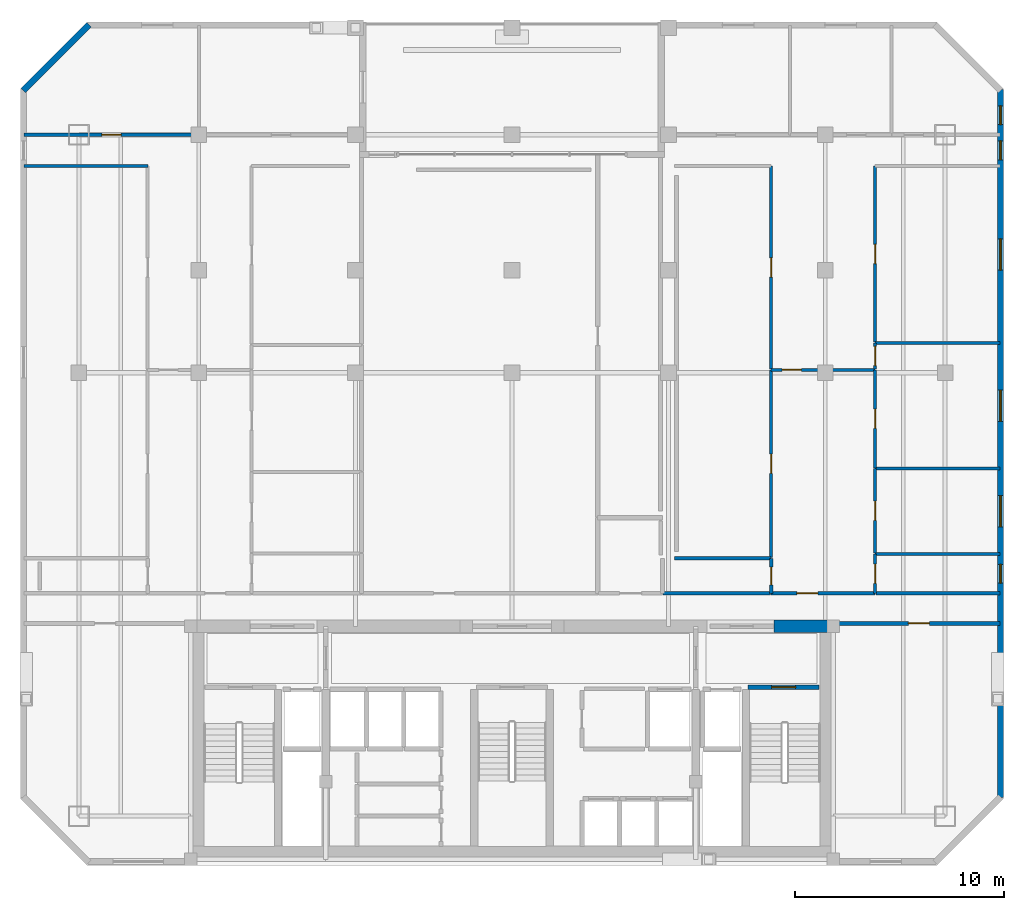
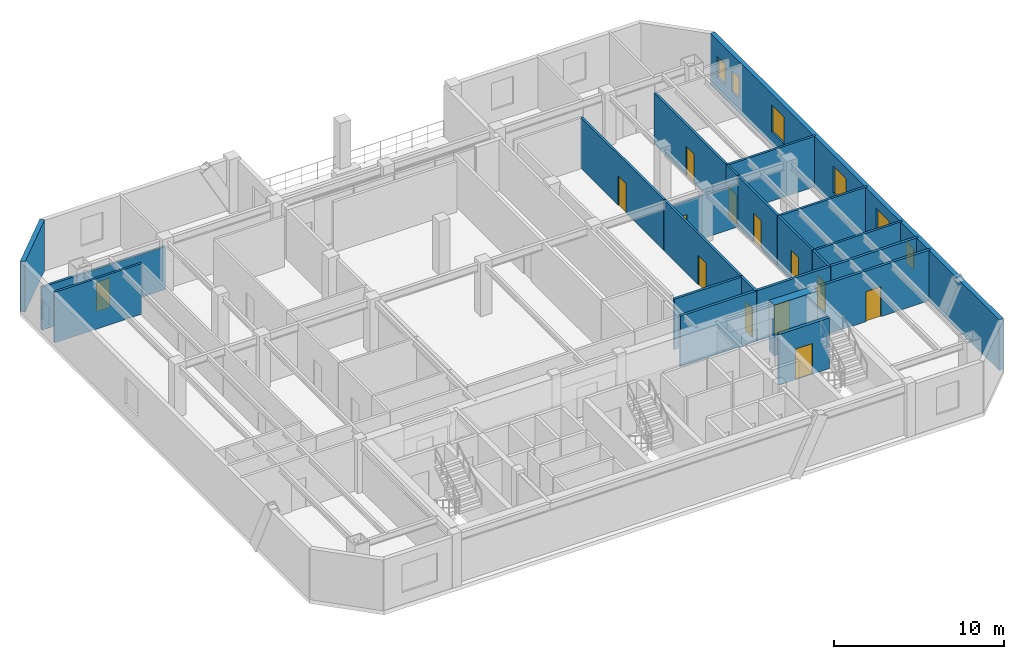
# One storey, part 7 of 9: 23 walls, 13 doors, 6 windows, 19 openings.
"""IFC4 building model written with IfcOpenShell, lengths in metres."""

from ifc_helpers import new_model, si_unit, direction, frame, frame_2d, origin, place, context, subcontext, project, spatial, rectangle, extrude, material, layer, layer_set, type_object, element, fill, save


model = new_model("IFC4")

# Units and contexts
model_context = context("Model", 3, precision=1e-05, world=origin(), true_north=direction((0.0, 1.0)))
body_context = subcontext(model_context, "Body", "Model", "MODEL_VIEW")
ifc_project = project(units=[si_unit("LENGTHUNIT", "METRE"), si_unit("AREAUNIT", "SQUARE_METRE"), si_unit("VOLUMEUNIT", "CUBIC_METRE"), si_unit("PLANEANGLEUNIT", "RADIAN"), si_unit("MASSUNIT", "GRAM", prefix="KILO")], contexts=[model_context])

# Site, building, storey
site_placement = place(None, origin())
site = spatial("IfcSite", under=ifc_project, at=site_placement, CompositionType="ELEMENT")
building_placement = place(site_placement, origin())
building = spatial("IfcBuilding", under=site, at=building_placement, Name="Ventersveld Concourse Tower", CompositionType="ELEMENT")
storey_placement = place(building_placement, frame((0.0, 0.0, 204.14990234375)))
storey = spatial("IfcBuildingStorey", under=building, at=storey_placement, Name="L50", CompositionType="ELEMENT", Elevation=204.14990234375)

# Wall
ifc_material_1 = material(Name="Concrete C50/60", Category="concrete")
ifc_layer_1 = layer(ifc_material_1, 0.60009765625)
ifc_layer_set_1 = layer_set([ifc_layer_1], Name="Concrete C50/60")
wall_type_1 = type_object("IfcWallType", Name="WL-CORE-600", PredefinedType="SHEAR", material=ifc_layer_set_1)
wall_1_placement = place(storey_placement, frame((41.300048828125, 11.449951171875, 0.0), z_axis=(0.0, 0.0, 1.0), x_axis=(1.0, 0.0, 0.0)))
element("IfcWall", 1, at=wall_1_placement, inside=storey, type_object=wall_type_1, Name="L50 Rear Core North Shear Wall NE", PredefinedType="SHEAR", context=body_context, shape_type="SweptSolid", body=[
    extrude(rectangle(XDim=2.949951171875, YDim=0.60009765625, at=frame_2d((1.47509765625, 0.0))), origin(), (0.0, 0.0, 1.0), 3.630126953125),
])

# Wall, opening, door
ifc_material_2 = material(Name="Fire-rated autoclaved aerated masonry blockwork", Category="masonry")
ifc_layer_2 = layer(ifc_material_2, 0.179931640625)
ifc_layer_set_2 = layer_set([ifc_layer_2], Name="Fire-rated autoclaved aerated masonry blockwork")
wall_type_2 = type_object("IfcWallType", Name="WL-CORR-180", PredefinedType="PARTITIONING", material=ifc_layer_set_2)
wall_2_placement = place(storey_placement, frame((44.35498046875, 11.5849609375, 0.0), z_axis=(0.0, 0.0, 1.0), x_axis=(1.0, 0.0, 0.0)))
wall_2 = element("IfcWall", 2, at=wall_2_placement, inside=storey, type_object=wall_type_2, Name="L50 Interior Partition SP-L50-SE-OFF-SP-L50-COR", PredefinedType="PARTITIONING", context=body_context, shape_type="SweptSolid", body=[
    extrude(rectangle(XDim=7.7724609375, YDim=0.179931640625, at=frame_2d((3.88623046875, 0.0))), origin(), (0.0, 0.0, 1.0), 3.630126953125),
])
opening_1_placement = place(wall_2_placement, frame((3.38623046875, 0.0, 0.0)))
opening_1 = element("IfcOpeningElement", 3, at=opening_1_placement, cuts=wall_2, Name="Opening FD3", PredefinedType="OPENING", context=body_context, shape_type="SweptSolid", body=[
    extrude(rectangle(XDim=1.0, YDim=2.14990234375, at=frame_2d((0.5, 1.074951171875))), frame((0.0, 0.10009765625, 0.0), z_axis=(0.0, -1.0, 0.0), x_axis=(1.0, 0.0, 0.0)), (0.0, 0.0, 1.0), 0.199951171875),
])
ifc_material_3 = material(Name="Solid-core hardwood veneer timber", Category="wood")
door_type_1 = type_object("IfcDoorType", Name="DR-FLAT-100", OperationType="NOTDEFINED", PredefinedType="DOOR", material=ifc_material_3)
door_1_placement = place(opening_1_placement, origin())
door_1 = element("IfcDoor", 4, at=door_1_placement, inside=storey, type_object=door_type_1, Name="L50 Interior Door SP-L50-SE-OFF to SP-L50-COR (D-L50-2439)", OperationType="SINGLE_SWING_LEFT", OverallHeight=2.14990234375, OverallWidth=1.0, PredefinedType="DOOR", context=body_context, shape_type="SweptSolid", body=[
    extrude(rectangle(XDim=1.0, YDim=2.14990234375, at=frame_2d((0.5, 1.074951171875))), frame((0.0, 0.02490234375, 0.0), z_axis=(0.0, -1.0, 0.0), x_axis=(1.0, 0.0, 0.0)), (0.0, 0.0, 1.0), 0.050048828125),
])
fill(opening_1, door_1)

wall_3_placement = place(storey_placement, frame((41.15625, 13.030029296875, 0.0), z_axis=(0.0, 0.0, 1.0), x_axis=(1.0, 0.0, 0.0)))
wall_3 = element("IfcWall", 5, at=wall_3_placement, inside=storey, type_object=wall_type_2, Name="L50 Interior Partition SP-L50-COR-SP-L50-50CE-FOY", PredefinedType="PARTITIONING", context=body_context, shape_type="SweptSolid", body=[
    extrude(rectangle(XDim=4.989990234375, YDim=0.179931640625, at=frame_2d((2.4951171875, 0.0))), origin(), (0.0, 0.0, 1.0), 3.630126953125),
])
opening_2_placement = place(wall_3_placement, frame((1.24658203125, 0.0, 0.0)))
opening_2 = element("IfcOpeningElement", 6, at=opening_2_placement, cuts=wall_3, Name="Opening FD3", PredefinedType="OPENING", context=body_context, shape_type="SweptSolid", body=[
    extrude(rectangle(XDim=1.0, YDim=2.14990234375, at=frame_2d((0.5, 1.074951171875))), frame((0.0, 0.10009765625, 0.0), z_axis=(0.0, -1.0, 0.0), x_axis=(1.0, 0.0, 0.0)), (0.0, 0.0, 1.0), 0.199951171875),
])
door_2_placement = place(opening_2_placement, origin())
door_2 = element("IfcDoor", 7, at=door_2_placement, inside=storey, type_object=door_type_1, Name="L50 Interior Door SP-L50-COR to SP-L50-50CE-FOY (FD-L50-2443)", OperationType="SINGLE_SWING_LEFT", OverallHeight=2.14990234375, OverallWidth=1.0, PredefinedType="DOOR", context=body_context, shape_type="SweptSolid", body=[
    extrude(rectangle(XDim=1.0, YDim=2.14990234375, at=frame_2d((0.5, 1.074951171875))), frame((0.0, 0.02490234375, 0.0), z_axis=(0.0, -1.0, 0.0), x_axis=(1.0, 0.0, 0.0)), (0.0, 0.0, 1.0), 0.050048828125),
])
fill(opening_2, door_2)

# Walls
wall_4_placement = place(storey_placement, frame((35.9951171875, 13.030029296875, 0.0), z_axis=(0.0, 0.0, 1.0), x_axis=(1.0, 0.0, 0.0)))
element("IfcWall", 8, at=wall_4_placement, inside=storey, type_object=wall_type_2, Name="L50 Interior Partition SP-L50-COR-SP-L50-50CE-BATH", PredefinedType="PARTITIONING", context=body_context, shape_type="SweptSolid", body=[
    extrude(rectangle(XDim=5.131103515625, YDim=0.179931640625, at=frame_2d((2.5654296875, 0.0))), origin(), (0.0, 0.0, 1.0), 3.630126953125),
])
wall_5_placement = place(storey_placement, frame((46.17626953125, 13.030029296875, 0.0), z_axis=(0.0, 0.0, 1.0), x_axis=(1.0, 0.0, 0.0)))
element("IfcWall", 9, at=wall_5_placement, inside=storey, type_object=wall_type_2, Name="L50 Interior Partition SP-L50-COR-SP-L50-50CE-KIT", PredefinedType="PARTITIONING", context=body_context, shape_type="SweptSolid", body=[
    extrude(rectangle(XDim=5.951171875, YDim=0.179931640625, at=frame_2d((2.9755859375, 0.0))), origin(), (0.0, 0.0, 1.0), 3.630126953125),
])

# Wall, opening, door
ifc_layer_3 = layer(ifc_material_2, 0.219970703125)
ifc_layer_set_3 = layer_set([ifc_layer_3], Name="Fire-rated autoclaved aerated masonry blockwork")
wall_type_3 = type_object("IfcWallType", Name="WL-HOIST-220", PredefinedType="SOLIDWALL", material=ifc_layer_set_3)
wall_6_placement = place(storey_placement, frame((40.06005859375, 8.52001953125, 0.0), z_axis=(0.0, 0.0, 1.0), x_axis=(1.0, 0.0, 0.0)))
wall_6 = element("IfcWall", 10, at=wall_6_placement, inside=storey, type_object=wall_type_3, Name="L50 Escape Stair ST02 Fire Wall", PredefinedType="SOLIDWALL", context=body_context, shape_type="SweptSolid", body=[
    extrude(rectangle(XDim=3.39990234375, YDim=0.219970703125, at=frame_2d((1.699951171875, 0.0))), origin(), (0.0, 0.0, 1.0), 3.630126953125),
])
opening_3_placement = place(wall_6_placement, frame((1.125, 0.0, 0.0)))
opening_3 = element("IfcOpeningElement", 11, at=opening_3_placement, cuts=wall_6, Name="Opening FD1", PredefinedType="OPENING", context=body_context, shape_type="SweptSolid", body=[
    extrude(rectangle(XDim=1.14990234375, YDim=2.199951171875, at=frame_2d((0.574951171875, 1.10009765625))), frame((0.0, 0.1201171875, 0.0), z_axis=(0.0, -1.0, 0.0), x_axis=(1.0, 0.0, 0.0)), (0.0, 0.0, 1.0), 0.239990234375),
])
ifc_material_4 = material(Name="Galvanised painted steel", Category="steel")
door_type_2 = type_object("IfcDoorType", Name="DR-STAIR-115", OperationType="NOTDEFINED", PredefinedType="DOOR", material=ifc_material_4)
door_3_placement = place(opening_3_placement, origin())
door_3 = element("IfcDoor", 12, at=door_3_placement, inside=storey, type_object=door_type_2, Name="L50 Escape Stair Door ST02 (SD-L50-2427)", OperationType="SINGLE_SWING_RIGHT", OverallHeight=2.199951171875, OverallWidth=1.14990234375, PredefinedType="DOOR", context=body_context, shape_type="SweptSolid", body=[
    extrude(rectangle(XDim=1.14990234375, YDim=2.199951171875, at=frame_2d((0.574951171875, 1.10009765625))), frame((0.0, 0.02490234375, 0.0), z_axis=(0.0, -1.0, 0.0), x_axis=(1.0, 0.0, 0.0)), (0.0, 0.0, 1.0), 0.050048828125),
])
fill(opening_3, door_3)

# Wall
ifc_material_5 = material(Name="Autoclaved aerated masonry blockwork", Category="masonry")
ifc_layer_4 = layer(ifc_material_5, 0.14990234375)
ifc_layer_set_4 = layer_set([ifc_layer_4], Name="Autoclaved aerated masonry blockwork")
wall_type_4 = type_object("IfcWallType", Name="WL-INT-150", PredefinedType="PARTITIONING", material=ifc_layer_set_4)
wall_7_placement = place(storey_placement, frame((5.37255859375, 33.5, 0.0), z_axis=(0.0, 0.0, 1.0), x_axis=(1.0, 0.0, 0.0)))
element("IfcWall", 13, at=wall_7_placement, inside=storey, type_object=wall_type_4, Name="L50 Interior Partition SP-L50-50CW-LIV-SP-L50-50CW-OFFL0", PredefinedType="PARTITIONING", context=body_context, shape_type="SweptSolid", body=[
    extrude(rectangle(XDim=5.927490234375, YDim=0.14990234375, at=frame_2d((2.9638671875, 0.0))), origin(), (0.0, 0.0, 1.0), 3.630126953125),
])

# Wall, opening, door
wall_8_placement = place(storey_placement, frame((5.37255859375, 35.0, 0.0), z_axis=(0.0, 0.0, 1.0), x_axis=(1.0, 0.0, 0.0)))
wall_8 = element("IfcWall", 14, at=wall_8_placement, inside=storey, type_object=wall_type_4, Name="L50 Interior Partition SP-L50-50CW-LIV-SP-L50-50CW-BR1", PredefinedType="PARTITIONING", context=body_context, shape_type="SweptSolid", body=[
    extrude(rectangle(XDim=8.38232421875, YDim=0.14990234375, at=frame_2d((4.191162109375, 0.0))), origin(), (0.0, 0.0, 1.0), 3.085693359375),
])
opening_4_placement = place(wall_8_placement, frame((3.731201171875, 0.0, 0.0)))
opening_4 = element("IfcOpeningElement", 15, at=opening_4_placement, cuts=wall_8, Name="Opening ID1", PredefinedType="OPENING", context=body_context, shape_type="SweptSolid", body=[
    extrude(rectangle(XDim=0.919921875, YDim=2.10009765625, at=frame_2d((0.4599609375, 1.050048828125))), frame((0.0, 0.0849609375, 0.0), z_axis=(0.0, -1.0, 0.0), x_axis=(1.0, 0.0, 0.0)), (0.0, 0.0, 1.0), 0.169921875),
])
door_type_3 = type_object("IfcDoorType", Name="DR-ROOM-092", OperationType="NOTDEFINED", PredefinedType="DOOR", material=ifc_material_3)
door_4_placement = place(opening_4_placement, origin())
door_4 = element("IfcDoor", 16, at=door_4_placement, inside=storey, type_object=door_type_3, Name="L50 Interior Door SP-L50-50CW-LIV to SP-L50-50CW-BR1 (D-L50-2453)", OperationType="SINGLE_SWING_LEFT", OverallHeight=2.10009765625, OverallWidth=0.919921875, PredefinedType="DOOR", context=body_context, shape_type="SweptSolid", body=[
    extrude(rectangle(XDim=0.919921875, YDim=2.10009765625, at=frame_2d((0.4599609375, 1.050048828125))), frame((0.0, 0.02490234375, 0.0), z_axis=(0.0, -1.0, 0.0), x_axis=(1.0, 0.0, 0.0)), (0.0, 0.0, 1.0), 0.050048828125),
])
fill(opening_4, door_4)

wall_9_placement = place(storey_placement, frame((41.15625, 23.72900390625, 0.0), z_axis=(0.0, 0.0, 1.0), x_axis=(1.0, 0.0, 0.0)))
wall_9 = element("IfcWall", 17, at=wall_9_placement, inside=storey, type_object=wall_type_4, Name="L50 Interior Partition SP-L50-50CE-FOY-SP-L50-50CE-LIV", PredefinedType="PARTITIONING", context=body_context, shape_type="SweptSolid", body=[
    extrude(rectangle(XDim=4.989990234375, YDim=0.14990234375, at=frame_2d((2.4951171875, 0.0))), origin(), (0.0, 0.0, 1.0), 3.085693359375),
])
opening_5_placement = place(wall_9_placement, frame((0.5380859375, 0.0, 0.0)))
opening_5 = element("IfcOpeningElement", 18, at=opening_5_placement, cuts=wall_9, Name="Opening ID1", PredefinedType="OPENING", context=body_context, shape_type="SweptSolid", body=[
    extrude(rectangle(XDim=0.919921875, YDim=2.10009765625, at=frame_2d((0.4599609375, 1.050048828125))), frame((0.0, 0.0849609375, 0.0), z_axis=(0.0, -1.0, 0.0), x_axis=(1.0, 0.0, 0.0)), (0.0, 0.0, 1.0), 0.169921875),
])
door_5_placement = place(opening_5_placement, origin())
door_5 = element("IfcDoor", 19, at=door_5_placement, inside=storey, type_object=door_type_3, Name="L50 Interior Door SP-L50-50CE-FOY to SP-L50-50CE-LIV (D-L50-2455)", OperationType="SINGLE_SWING_LEFT", OverallHeight=2.10009765625, OverallWidth=0.919921875, PredefinedType="DOOR", context=body_context, shape_type="SweptSolid", body=[
    extrude(rectangle(XDim=0.919921875, YDim=2.10009765625, at=frame_2d((0.4599609375, 1.050048828125))), frame((0.0, 0.02490234375, 0.0), z_axis=(0.0, -1.0, 0.0), x_axis=(1.0, 0.0, 0.0)), (0.0, 0.0, 1.0), 0.050048828125),
])
fill(opening_5, door_5)

wall_10_placement = place(storey_placement, frame((41.1611328125, 14.735107421875, 0.0), z_axis=(0.0, 0.0, 1.0), x_axis=(0.0, 1.0, 0.0)))
wall_10 = element("IfcWall", 20, at=wall_10_placement, inside=storey, type_object=wall_type_4, Name="L50 Interior Partition SP-L50-50CE-FOY-SP-L50-50CE-OFFL0", PredefinedType="PARTITIONING", context=body_context, shape_type="SweptSolid", body=[
    extrude(rectangle(XDim=8.9990234375, YDim=0.14990234375, at=frame_2d((4.49951171875, 0.0))), origin(), (0.0, 0.0, 1.0), 3.630126953125),
])
opening_6_placement = place(wall_10_placement, frame((4.03955078125, 0.0, 0.0)))
opening_6 = element("IfcOpeningElement", 21, at=opening_6_placement, cuts=wall_10, Name="Opening ID1", PredefinedType="OPENING", context=body_context, shape_type="SweptSolid", body=[
    extrude(rectangle(XDim=0.919921875, YDim=2.10009765625, at=frame_2d((0.4599609375, 1.050048828125))), frame((0.0, 0.0849609375, 0.0), z_axis=(0.0, -1.0, 0.0), x_axis=(1.0, 0.0, 0.0)), (0.0, 0.0, 1.0), 0.169921875),
])
door_6_placement = place(opening_6_placement, origin())
door_6 = element("IfcDoor", 22, at=door_6_placement, inside=storey, type_object=door_type_3, Name="L50 Interior Door SP-L50-50CE-FOY to SP-L50-50CE-OFFL0 (D-L50-2457)", OperationType="SINGLE_SWING_LEFT", OverallHeight=2.10009765625, OverallWidth=0.919921875, PredefinedType="DOOR", context=body_context, shape_type="SweptSolid", body=[
    extrude(rectangle(XDim=0.919921875, YDim=2.10009765625, at=frame_2d((0.4599609375, 1.050048828125))), frame((0.0, 0.02490234375, 0.0), z_axis=(0.0, -1.0, 0.0), x_axis=(1.0, 0.0, 0.0)), (0.0, 0.0, 1.0), 0.050048828125),
])
fill(opening_6, door_6)

wall_11_placement = place(storey_placement, frame((46.14111328125, 13.014892578125, 0.0), z_axis=(0.0, 0.0, 1.0), x_axis=(0.0, 1.0, 0.0)))
wall_11 = element("IfcWall", 23, at=wall_11_placement, inside=storey, type_object=wall_type_4, Name="L50 Interior Partition SP-L50-50CE-FOY-SP-L50-50CE-KIT", PredefinedType="PARTITIONING", context=body_context, shape_type="SweptSolid", body=[
    extrude(rectangle(XDim=1.904541015625, YDim=0.14990234375, at=frame_2d((0.9521484375, 0.0))), origin(), (0.0, 0.0, 1.0), 3.630126953125),
])
opening_7_placement = place(wall_11_placement, frame((0.4921875, 0.0, 0.0)))
opening_7 = element("IfcOpeningElement", 24, at=opening_7_placement, cuts=wall_11, Name="Opening ID1", PredefinedType="OPENING", context=body_context, shape_type="SweptSolid", body=[
    extrude(rectangle(XDim=0.919921875, YDim=2.10009765625, at=frame_2d((0.4599609375, 1.050048828125))), frame((0.0, 0.0849609375, 0.0), z_axis=(0.0, -1.0, 0.0), x_axis=(1.0, 0.0, 0.0)), (0.0, 0.0, 1.0), 0.169921875),
])
door_7_placement = place(opening_7_placement, origin())
door_7 = element("IfcDoor", 25, at=door_7_placement, inside=storey, type_object=door_type_3, Name="L50 Interior Door SP-L50-50CE-FOY to SP-L50-50CE-KIT (D-L50-2458)", OperationType="SINGLE_SWING_RIGHT", OverallHeight=2.10009765625, OverallWidth=0.919921875, PredefinedType="DOOR", context=body_context, shape_type="SweptSolid", body=[
    extrude(rectangle(XDim=0.919921875, YDim=2.10009765625, at=frame_2d((0.4599609375, 1.050048828125))), frame((0.0, 0.02490234375, 0.0), z_axis=(0.0, -1.0, 0.0), x_axis=(1.0, 0.0, 0.0)), (0.0, 0.0, 1.0), 0.050048828125),
])
fill(opening_7, door_7)

wall_12_placement = place(storey_placement, frame((46.14111328125, 14.949462890625, 0.0), z_axis=(0.0, 0.0, 1.0), x_axis=(0.0, 1.0, 0.0)))
wall_12 = element("IfcWall", 26, at=wall_12_placement, inside=storey, type_object=wall_type_4, Name="L50 Interior Partition SP-L50-50CE-FOY-SP-L50-50CE-SEMR1", PredefinedType="PARTITIONING", context=body_context, shape_type="SweptSolid", body=[
    extrude(rectangle(XDim=4.0634765625, YDim=0.14990234375, at=frame_2d((2.03173828125, 0.0))), origin(), (0.0, 0.0, 1.0), 3.630126953125),
])
opening_8_placement = place(wall_12_placement, frame((1.57177734375, 0.0, 0.0)))
opening_8 = element("IfcOpeningElement", 27, at=opening_8_placement, cuts=wall_12, Name="Opening ID1", PredefinedType="OPENING", context=body_context, shape_type="SweptSolid", body=[
    extrude(rectangle(XDim=0.919921875, YDim=2.10009765625, at=frame_2d((0.4599609375, 1.050048828125))), frame((0.0, 0.0849609375, 0.0), z_axis=(0.0, -1.0, 0.0), x_axis=(1.0, 0.0, 0.0)), (0.0, 0.0, 1.0), 0.169921875),
])
door_8_placement = place(opening_8_placement, origin())
door_8 = element("IfcDoor", 28, at=door_8_placement, inside=storey, type_object=door_type_3, Name="L50 Interior Door SP-L50-50CE-FOY to SP-L50-50CE-SEMR1 (D-L50-2459)", OperationType="SINGLE_SWING_LEFT", OverallHeight=2.10009765625, OverallWidth=0.919921875, PredefinedType="DOOR", context=body_context, shape_type="SweptSolid", body=[
    extrude(rectangle(XDim=0.919921875, YDim=2.10009765625, at=frame_2d((0.4599609375, 1.050048828125))), frame((0.0, 0.02490234375, 0.0), z_axis=(0.0, -1.0, 0.0), x_axis=(1.0, 0.0, 0.0)), (0.0, 0.0, 1.0), 0.050048828125),
])
fill(opening_8, door_8)

wall_13_placement = place(storey_placement, frame((46.14111328125, 19.04296875, 0.0), z_axis=(0.0, 0.0, 1.0), x_axis=(0.0, 1.0, 0.0)))
wall_13 = element("IfcWall", 29, at=wall_13_placement, inside=storey, type_object=wall_type_4, Name="L50 Interior Partition SP-L50-50CE-FOY-SP-L50-50CE-DENS", PredefinedType="PARTITIONING", context=body_context, shape_type="SweptSolid", body=[
    extrude(rectangle(XDim=4.691162109375, YDim=0.14990234375, at=frame_2d((2.345703125, 0.0))), origin(), (0.0, 0.0, 1.0), 3.630126953125),
])
opening_9_placement = place(wall_13_placement, frame((1.885498046875, 0.0, 0.0)))
opening_9 = element("IfcOpeningElement", 30, at=opening_9_placement, cuts=wall_13, Name="Opening ID1", PredefinedType="OPENING", context=body_context, shape_type="SweptSolid", body=[
    extrude(rectangle(XDim=0.919921875, YDim=2.10009765625, at=frame_2d((0.4599609375, 1.050048828125))), frame((0.0, 0.0849609375, 0.0), z_axis=(0.0, -1.0, 0.0), x_axis=(1.0, 0.0, 0.0)), (0.0, 0.0, 1.0), 0.169921875),
])
door_9_placement = place(opening_9_placement, origin())
door_9 = element("IfcDoor", 31, at=door_9_placement, inside=storey, type_object=door_type_3, Name="L50 Interior Door SP-L50-50CE-FOY to SP-L50-50CE-DENS (D-L50-2460)", OperationType="SINGLE_SWING_RIGHT", OverallHeight=2.10009765625, OverallWidth=0.919921875, PredefinedType="DOOR", context=body_context, shape_type="SweptSolid", body=[
    extrude(rectangle(XDim=0.919921875, YDim=2.10009765625, at=frame_2d((0.4599609375, 1.050048828125))), frame((0.0, 0.02490234375, 0.0), z_axis=(0.0, -1.0, 0.0), x_axis=(1.0, 0.0, 0.0)), (0.0, 0.0, 1.0), 0.050048828125),
])
fill(opening_9, door_9)

wall_14_placement = place(storey_placement, frame((41.1611328125, 23.76416015625, 0.0), z_axis=(0.0, 0.0, 1.0), x_axis=(0.0, 1.0, 0.0)))
wall_14 = element("IfcWall", 32, at=wall_14_placement, inside=storey, type_object=wall_type_4, Name="L50 Interior Partition SP-L50-50CE-LIV-SP-L50-50CE-OFFL0", PredefinedType="PARTITIONING", context=body_context, shape_type="SweptSolid", body=[
    extrude(rectangle(XDim=9.74072265625, YDim=0.14990234375, at=frame_2d((4.870361328125, 0.0))), origin(), (0.0, 0.0, 1.0), 3.630126953125),
])
opening_10_placement = place(wall_14_placement, frame((4.410400390625, 0.0, 0.0)))
opening_10 = element("IfcOpeningElement", 33, at=opening_10_placement, cuts=wall_14, Name="Opening ID1", PredefinedType="OPENING", context=body_context, shape_type="SweptSolid", body=[
    extrude(rectangle(XDim=0.919921875, YDim=2.10009765625, at=frame_2d((0.4599609375, 1.050048828125))), frame((0.0, 0.0849609375, 0.0), z_axis=(0.0, -1.0, 0.0), x_axis=(1.0, 0.0, 0.0)), (0.0, 0.0, 1.0), 0.169921875),
])
door_10_placement = place(opening_10_placement, origin())
door_10 = element("IfcDoor", 34, at=door_10_placement, inside=storey, type_object=door_type_3, Name="L50 Interior Door SP-L50-50CE-LIV to SP-L50-50CE-OFFL0 (D-L50-2461)", OperationType="SINGLE_SWING_LEFT", OverallHeight=2.10009765625, OverallWidth=0.919921875, PredefinedType="DOOR", context=body_context, shape_type="SweptSolid", body=[
    extrude(rectangle(XDim=0.919921875, YDim=2.10009765625, at=frame_2d((0.4599609375, 1.050048828125))), frame((0.0, 0.02490234375, 0.0), z_axis=(0.0, -1.0, 0.0), x_axis=(1.0, 0.0, 0.0)), (0.0, 0.0, 1.0), 0.050048828125),
])
fill(opening_10, door_10)

wall_15_placement = place(storey_placement, frame((46.14111328125, 23.76416015625, 0.0), z_axis=(0.0, 0.0, 1.0), x_axis=(0.0, 1.0, 0.0)))
wall_15 = element("IfcWall", 35, at=wall_15_placement, inside=storey, type_object=wall_type_4, Name="L50 Interior Partition SP-L50-50CE-LIV-SP-L50-50CE-DENS", PredefinedType="PARTITIONING", context=body_context, shape_type="SweptSolid", body=[
    extrude(rectangle(XDim=1.268310546875, YDim=0.14990234375, at=frame_2d((0.63427734375, 0.0))), origin(), (0.0, 0.0, 1.0), 3.630126953125),
])
opening_11_placement = place(wall_15_placement, frame((0.174072265625, 0.0, 0.0)))
opening_11 = element("IfcOpeningElement", 36, at=opening_11_placement, cuts=wall_15, Name="Opening ID1", PredefinedType="OPENING", context=body_context, shape_type="SweptSolid", body=[
    extrude(rectangle(XDim=0.919921875, YDim=2.10009765625, at=frame_2d((0.4599609375, 1.050048828125))), frame((0.0, 0.0849609375, 0.0), z_axis=(0.0, -1.0, 0.0), x_axis=(1.0, 0.0, 0.0)), (0.0, 0.0, 1.0), 0.169921875),
])
door_11_placement = place(opening_11_placement, origin())
door_11 = element("IfcDoor", 37, at=door_11_placement, inside=storey, type_object=door_type_3, Name="L50 Interior Door SP-L50-50CE-LIV to SP-L50-50CE-DENS (D-L50-2462)", OperationType="SINGLE_SWING_RIGHT", OverallHeight=2.10009765625, OverallWidth=0.919921875, PredefinedType="DOOR", context=body_context, shape_type="SweptSolid", body=[
    extrude(rectangle(XDim=0.919921875, YDim=2.10009765625, at=frame_2d((0.4599609375, 1.050048828125))), frame((0.0, 0.02490234375, 0.0), z_axis=(0.0, -1.0, 0.0), x_axis=(1.0, 0.0, 0.0)), (0.0, 0.0, 1.0), 0.050048828125),
])
fill(opening_11, door_11)

wall_16_placement = place(storey_placement, frame((46.14111328125, 25.0625, 0.0), z_axis=(0.0, 0.0, 1.0), x_axis=(0.0, 1.0, 0.0)))
wall_16 = element("IfcWall", 38, at=wall_16_placement, inside=storey, type_object=wall_type_4, Name="L50 Interior Partition SP-L50-50CE-LIV-SP-L50-50CE-DENS2", PredefinedType="PARTITIONING", context=body_context, shape_type="SweptSolid", body=[
    extrude(rectangle(XDim=8.4423828125, YDim=0.14990234375, at=frame_2d((4.22119140625, 0.0))), origin(), (0.0, 0.0, 1.0), 3.630126953125),
])
opening_12_placement = place(wall_16_placement, frame((3.76123046875, 0.0, 0.0)))
opening_12 = element("IfcOpeningElement", 39, at=opening_12_placement, cuts=wall_16, Name="Opening ID1", PredefinedType="OPENING", context=body_context, shape_type="SweptSolid", body=[
    extrude(rectangle(XDim=0.919921875, YDim=2.10009765625, at=frame_2d((0.4599609375, 1.050048828125))), frame((0.0, 0.0849609375, 0.0), z_axis=(0.0, -1.0, 0.0), x_axis=(1.0, 0.0, 0.0)), (0.0, 0.0, 1.0), 0.169921875),
])
door_12_placement = place(opening_12_placement, origin())
door_12 = element("IfcDoor", 40, at=door_12_placement, inside=storey, type_object=door_type_3, Name="L50 Interior Door SP-L50-50CE-LIV to SP-L50-50CE-DENS2 (D-L50-2463)", OperationType="SINGLE_SWING_LEFT", OverallHeight=2.10009765625, OverallWidth=0.919921875, PredefinedType="DOOR", context=body_context, shape_type="SweptSolid", body=[
    extrude(rectangle(XDim=0.919921875, YDim=2.10009765625, at=frame_2d((0.4599609375, 1.050048828125))), frame((0.0, 0.02490234375, 0.0), z_axis=(0.0, -1.0, 0.0), x_axis=(1.0, 0.0, 0.0)), (0.0, 0.0, 1.0), 0.050048828125),
])
fill(opening_12, door_12)

# Walls
for number, where, z_axis, x_axis, name in (
    (41, (46.13623046875, 14.91455078125, 0.0), (0.0, 0.0, 1.0), (1.0, 0.0, 0.0), "L50 Interior Partition SP-L50-50CE-KIT-SP-L50-50CE-SEMR1"),
    (42, (46.13623046875, 19.008056640625, 0.0), (0.0, 0.0, 1.0), (1.0, 0.0, 0.0), "L50 Interior Partition SP-L50-50CE-SEMR1-SP-L50-50CE-DENS"),
    (43, (46.13623046875, 25.02734375, 0.0), (0.0, 0.0, 1.0), (1.0, 0.0, 0.0), "L50 Interior Partition SP-L50-50CE-DENS-SP-L50-50CE-DENS2"),
):
    element("IfcWall", number, at=place(storey_placement, frame(where, z_axis=z_axis, x_axis=x_axis)), inside=storey, type_object=wall_type_4, Name=name, PredefinedType="PARTITIONING", context=body_context, shape_type="SweptSolid", body=[
        extrude(rectangle(XDim=5.9912109375, YDim=0.14990234375, at=frame_2d((2.99560546875, 0.0))), origin(), (0.0, 0.0, 1.0), 3.630126953125),
    ])

# Wall, openings, windows
ifc_material_6 = material(Name="Precast concrete C45/55", Category="concrete")
ifc_layer_5 = layer(ifc_material_6, 0.300048828125)
ifc_layer_set_5 = layer_set([ifc_layer_5], Name="Precast concrete C45/55")
wall_type_5 = type_object("IfcWallType", Name="WL-PREC-300", PredefinedType="SOLIDWALL", material=ifc_layer_set_5)
wall_17_placement = place(storey_placement, frame((52.14990234375, 3.239990234375, 0.0), z_axis=(0.0, 0.0, 1.0), x_axis=(0.0, 1.0, 0.0)))
wall_17 = element("IfcWall", 44, at=wall_17_placement, inside=storey, type_object=wall_type_5, Name="L50 Highveld Precast Facade Wall E03", PredefinedType="SOLIDWALL", context=body_context, shape_type="SweptSolid", body=[
    extrude(rectangle(XDim=33.919921875, YDim=0.300048828125, at=frame_2d((16.9599609375, 0.0))), origin(), (0.0, 0.0, 1.0), 3.630126953125),
])
opening_13_placement = place(wall_17_placement, frame((30.56005859375, 0.0, 0.949951171875)))
opening_13 = element("IfcOpeningElement", 45, at=opening_13_placement, cuts=wall_17, Name="Opening W4", PredefinedType="OPENING", context=body_context, shape_type="SweptSolid", body=[
    extrude(rectangle(XDim=0.89990234375, YDim=1.5, at=frame_2d((0.449951171875, 0.75))), frame((0.0, 0.16015625, 0.0), z_axis=(0.0, -1.0, 0.0), x_axis=(1.0, 0.0, 0.0)), (0.0, 0.0, 1.0), 0.320068359375),
])
opening_14_placement = place(wall_17_placement, frame((10.27734375, 0.0, 0.949951171875)))
opening_14 = element("IfcOpeningElement", 46, at=opening_14_placement, cuts=wall_17, Name="Opening W4", PredefinedType="OPENING", context=body_context, shape_type="SweptSolid", body=[
    extrude(rectangle(XDim=0.89990234375, YDim=1.5, at=frame_2d((0.449951171875, 0.75))), frame((0.0, 0.16015625, 0.0), z_axis=(0.0, -1.0, 0.0), x_axis=(1.0, 0.0, 0.0)), (0.0, 0.0, 1.0), 0.320068359375),
])
opening_15_placement = place(wall_17_placement, frame((12.97119140625, 0.0, 0.89990234375)))
opening_15 = element("IfcOpeningElement", 47, at=opening_15_placement, cuts=wall_17, Name="Opening W1", PredefinedType="OPENING", context=body_context, shape_type="SweptSolid", body=[
    extrude(rectangle(XDim=1.5, YDim=1.949951171875, at=frame_2d((0.75, 0.97509765625))), frame((0.0, 0.16015625, 0.0), z_axis=(0.0, -1.0, 0.0), x_axis=(1.0, 0.0, 0.0)), (0.0, 0.0, 1.0), 0.320068359375),
])
opening_16_placement = place(wall_17_placement, frame((18.027587890625, 0.0, 0.89990234375)))
opening_16 = element("IfcOpeningElement", 48, at=opening_16_placement, cuts=wall_17, Name="Opening W1", PredefinedType="OPENING", context=body_context, shape_type="SweptSolid", body=[
    extrude(rectangle(XDim=1.5, YDim=1.949951171875, at=frame_2d((0.75, 0.97509765625))), frame((0.0, 0.16015625, 0.0), z_axis=(0.0, -1.0, 0.0), x_axis=(1.0, 0.0, 0.0)), (0.0, 0.0, 1.0), 0.320068359375),
])
opening_17_placement = place(wall_17_placement, frame((25.273681640625, 0.0, 0.89990234375)))
opening_17 = element("IfcOpeningElement", 49, at=opening_17_placement, cuts=wall_17, Name="Opening W1", PredefinedType="OPENING", context=body_context, shape_type="SweptSolid", body=[
    extrude(rectangle(XDim=1.5, YDim=1.949951171875, at=frame_2d((0.75, 0.97509765625))), frame((0.0, 0.16015625, 0.0), z_axis=(0.0, -1.0, 0.0), x_axis=(1.0, 0.0, 0.0)), (0.0, 0.0, 1.0), 0.320068359375),
])
opening_18_placement = place(wall_17_placement, frame((32.239990234375, 0.0, 0.949951171875)))
opening_18 = element("IfcOpeningElement", 50, at=opening_18_placement, cuts=wall_17, Name="Opening W4", PredefinedType="OPENING", context=body_context, shape_type="SweptSolid", body=[
    extrude(rectangle(XDim=0.89990234375, YDim=1.5, at=frame_2d((0.449951171875, 0.75))), frame((0.0, 0.16015625, 0.0), z_axis=(0.0, -1.0, 0.0), x_axis=(1.0, 0.0, 0.0)), (0.0, 0.0, 1.0), 0.320068359375),
])
ifc_material_7 = material(Name="Tempered acoustic Low-E IGU", Category="glass")
window_type_1 = type_object("IfcWindowType", Name="WIN-090x150", PartitioningType="SINGLE_PANEL", PredefinedType="WINDOW", material=ifc_material_7)
window_1_placement = place(opening_13_placement, origin())
window_1 = element("IfcWindow", 51, at=window_1_placement, inside=storey, type_object=window_type_1, Name="L50 Punched Low-E Window W-0709", OverallHeight=1.5, OverallWidth=0.89990234375, PartitioningType="SINGLE_PANEL", PredefinedType="WINDOW", context=body_context, shape_type="SweptSolid", body=[
    extrude(rectangle(XDim=0.89990234375, YDim=1.5, at=frame_2d((0.449951171875, 0.75))), frame((0.0, 0.030029296875, 0.0), z_axis=(0.0, -1.0, 0.0), x_axis=(1.0, 0.0, 0.0)), (0.0, 0.0, 1.0), 0.06005859375),
])
fill(opening_13, window_1)
window_2_placement = place(opening_14_placement, origin())
window_2 = element("IfcWindow", 52, at=window_2_placement, inside=storey, type_object=window_type_1, Name="L50 Punched Low-E Window W-0710", OverallHeight=1.5, OverallWidth=0.89990234375, PartitioningType="SINGLE_PANEL", PredefinedType="WINDOW", context=body_context, shape_type="SweptSolid", body=[
    extrude(rectangle(XDim=0.89990234375, YDim=1.5, at=frame_2d((0.449951171875, 0.75))), frame((0.0, 0.030029296875, 0.0), z_axis=(0.0, -1.0, 0.0), x_axis=(1.0, 0.0, 0.0)), (0.0, 0.0, 1.0), 0.06005859375),
])
fill(opening_14, window_2)
window_3_placement = place(opening_18_placement, origin())
window_3 = element("IfcWindow", 53, at=window_3_placement, inside=storey, type_object=window_type_1, Name="L50 Punched Low-E Window W-0716", OverallHeight=1.5, OverallWidth=0.89990234375, PartitioningType="SINGLE_PANEL", PredefinedType="WINDOW", context=body_context, shape_type="SweptSolid", body=[
    extrude(rectangle(XDim=0.89990234375, YDim=1.5, at=frame_2d((0.449951171875, 0.75))), frame((0.0, 0.030029296875, 0.0), z_axis=(0.0, -1.0, 0.0), x_axis=(1.0, 0.0, 0.0)), (0.0, 0.0, 1.0), 0.06005859375),
])
fill(opening_18, window_3)
window_type_2 = type_object("IfcWindowType", Name="WIN-150x210", PartitioningType="SINGLE_PANEL", PredefinedType="WINDOW", material=ifc_material_7)
window_4_placement = place(opening_15_placement, origin())
window_4 = element("IfcWindow", 54, at=window_4_placement, inside=storey, type_object=window_type_2, Name="L50 Punched Low-E Window W-0711", OverallHeight=1.949951171875, OverallWidth=1.5, PartitioningType="SINGLE_PANEL", PredefinedType="WINDOW", context=body_context, shape_type="SweptSolid", body=[
    extrude(rectangle(XDim=1.5, YDim=1.949951171875, at=frame_2d((0.75, 0.97509765625))), frame((0.0, 0.030029296875, 0.0), z_axis=(0.0, -1.0, 0.0), x_axis=(1.0, 0.0, 0.0)), (0.0, 0.0, 1.0), 0.06005859375),
])
fill(opening_15, window_4)
window_5_placement = place(opening_16_placement, origin())
window_5 = element("IfcWindow", 55, at=window_5_placement, inside=storey, type_object=window_type_2, Name="L50 Punched Low-E Window W-0712", OverallHeight=1.949951171875, OverallWidth=1.5, PartitioningType="SINGLE_PANEL", PredefinedType="WINDOW", context=body_context, shape_type="SweptSolid", body=[
    extrude(rectangle(XDim=1.5, YDim=1.949951171875, at=frame_2d((0.75, 0.97509765625))), frame((0.0, 0.030029296875, 0.0), z_axis=(0.0, -1.0, 0.0), x_axis=(1.0, 0.0, 0.0)), (0.0, 0.0, 1.0), 0.06005859375),
])
fill(opening_16, window_5)
window_6_placement = place(opening_17_placement, origin())
window_6 = element("IfcWindow", 56, at=window_6_placement, inside=storey, type_object=window_type_2, Name="L50 Punched Low-E Window W-0713", OverallHeight=1.949951171875, OverallWidth=1.5, PartitioningType="SINGLE_PANEL", PredefinedType="WINDOW", context=body_context, shape_type="SweptSolid", body=[
    extrude(rectangle(XDim=1.5, YDim=1.949951171875, at=frame_2d((0.75, 0.97509765625))), frame((0.0, 0.030029296875, 0.0), z_axis=(0.0, -1.0, 0.0), x_axis=(1.0, 0.0, 0.0)), (0.0, 0.0, 1.0), 0.06005859375),
])
fill(opening_17, window_6)

# Wall
wall_18_placement = place(storey_placement, frame((8.477783203125, 40.265625, 0.0), z_axis=(0.0, 0.0, 1.0), x_axis=(-0.707106781187, -0.707106781187, 0.0)))
element("IfcWall", 57, at=wall_18_placement, inside=storey, type_object=wall_type_5, Name="L50 Highveld Precast Facade Wall E10", PredefinedType="SOLIDWALL", context=body_context, shape_type="SweptSolid", body=[
    extrude(rectangle(XDim=4.4453125, YDim=0.300048828125, at=frame_2d((2.22265625, 0.0))), origin(), (0.0, 0.0, 1.0), 3.630126953125),
])

# Wall, opening, door
ifc_layer_6 = layer(ifc_material_5, 0.1650390625)
ifc_layer_set_6 = layer_set([ifc_layer_6], Name="Autoclaved aerated masonry blockwork")
wall_type_6 = type_object("IfcWallType", Name="WL-WET-165", PredefinedType="PLUMBINGWALL", material=ifc_layer_set_6)
wall_19_placement = place(storey_placement, frame((41.1611328125, 13.014892578125, 0.0), z_axis=(0.0, 0.0, 1.0), x_axis=(0.0, 1.0, 0.0)))
wall_19 = element("IfcWall", 58, at=wall_19_placement, inside=storey, type_object=wall_type_6, Name="L50 Interior Partition SP-L50-50CE-FOY-SP-L50-50CE-BATH", PredefinedType="PLUMBINGWALL", context=body_context, shape_type="SweptSolid", body=[
    extrude(rectangle(XDim=1.690185546875, YDim=0.1650390625, at=frame_2d((0.84521484375, 0.0))), origin(), (0.0, 0.0, 1.0), 3.630126953125),
])
opening_19_placement = place(wall_19_placement, frame((0.419921875, 0.0, 0.0)))
opening_19 = element("IfcOpeningElement", 59, at=opening_19_placement, cuts=wall_19, Name="Opening ID2", PredefinedType="OPENING", context=body_context, shape_type="SweptSolid", body=[
    extrude(rectangle(XDim=0.85009765625, YDim=2.10009765625, at=frame_2d((0.425048828125, 1.050048828125))), frame((0.0, 0.092529296875, 0.0), z_axis=(0.0, -1.0, 0.0), x_axis=(1.0, 0.0, 0.0)), (0.0, 0.0, 1.0), 0.18505859375),
])
door_type_4 = type_object("IfcDoorType", Name="DR-BATH-085", OperationType="NOTDEFINED", PredefinedType="DOOR", material=ifc_material_3)
door_13_placement = place(opening_19_placement, origin())
door_13 = element("IfcDoor", 60, at=door_13_placement, inside=storey, type_object=door_type_4, Name="L50 Interior Door SP-L50-50CE-FOY to SP-L50-50CE-BATH (D-L50-2456)", OperationType="SINGLE_SWING_RIGHT", OverallHeight=2.10009765625, OverallWidth=0.85009765625, PredefinedType="DOOR", context=body_context, shape_type="SweptSolid", body=[
    extrude(rectangle(XDim=0.85009765625, YDim=2.10009765625, at=frame_2d((0.425048828125, 1.050048828125))), frame((0.0, 0.02490234375, 0.0), z_axis=(0.0, -1.0, 0.0), x_axis=(1.0, 0.0, 0.0)), (0.0, 0.0, 1.0), 0.050048828125),
])
fill(opening_19, door_13)

# Wall
wall_20_placement = place(storey_placement, frame((36.534912109375, 14.699951171875, 0.0), z_axis=(0.0, 0.0, 1.0), x_axis=(1.0, 0.0, 0.0)))
element("IfcWall", 61, at=wall_20_placement, inside=storey, type_object=wall_type_6, Name="L50 Interior Partition SP-L50-50CE-BATH-SP-L50-50CE-OFFL0", PredefinedType="PLUMBINGWALL", context=body_context, shape_type="SweptSolid", body=[
    extrude(rectangle(XDim=4.63134765625, YDim=0.1650390625, at=frame_2d((2.315673828125, 0.0))), origin(), (0.0, 0.0, 1.0), 3.630126953125),
])

save(model, "model.ifc")
